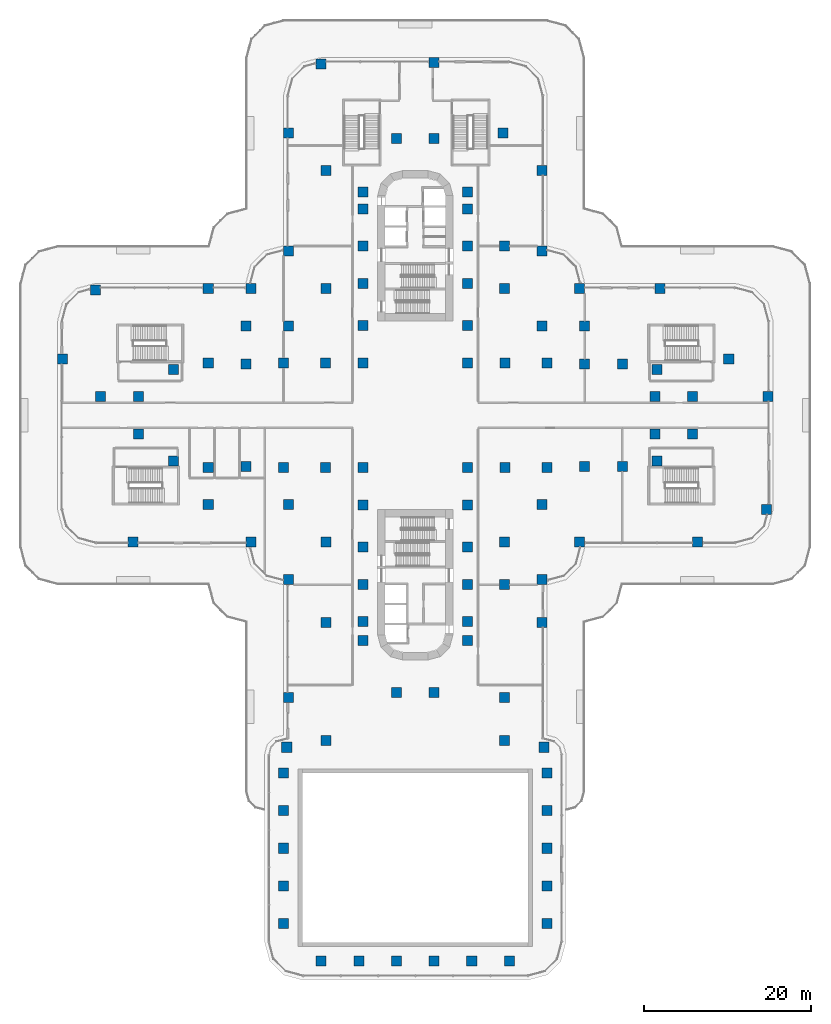
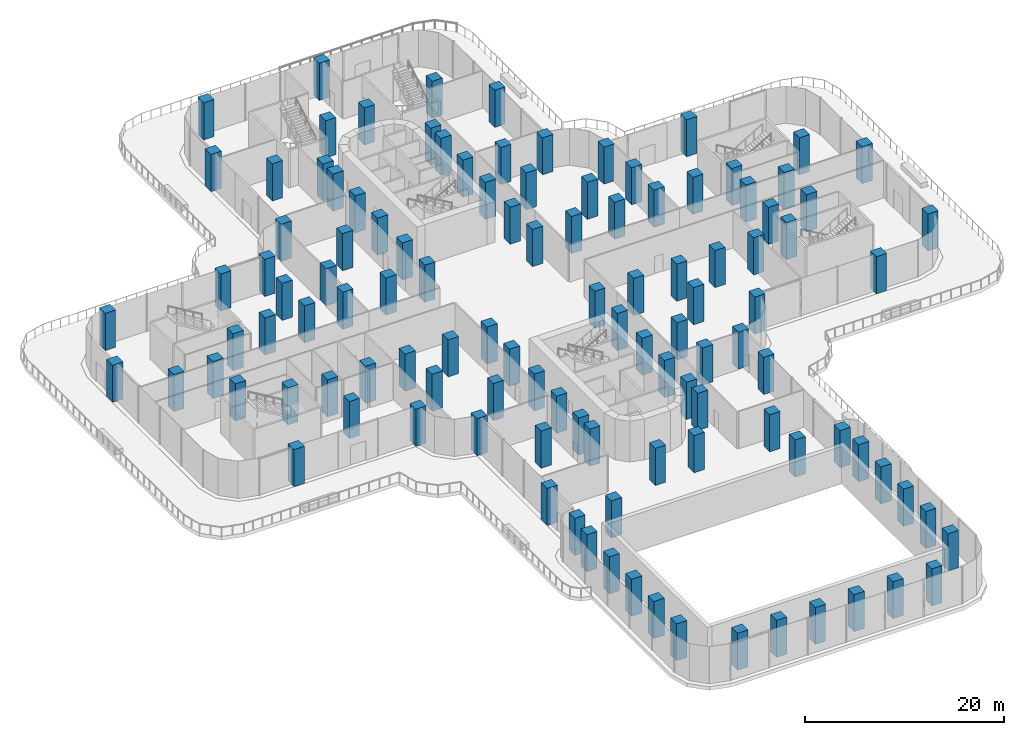
# One storey, part 1 of 27: 115 columns.
"""IFC4 building model written with IfcOpenShell, lengths in metres."""

from ifc_helpers import new_model, si_unit, direction, frame, origin, origin_2d, place, context, subcontext, project, spatial, rectangle, extrude, material, material_profile, profile_set, type_object, element, save


model = new_model("IFC4")

# Units and contexts
model_context = context("Model", 3, precision=1e-05, world=origin(), true_north=direction((0.0, 1.0)))
body_context = subcontext(model_context, "Body", "Model", "MODEL_VIEW")
ifc_project = project(units=[si_unit("LENGTHUNIT", "METRE"), si_unit("AREAUNIT", "SQUARE_METRE"), si_unit("VOLUMEUNIT", "CUBIC_METRE"), si_unit("PLANEANGLEUNIT", "RADIAN"), si_unit("MASSUNIT", "GRAM", prefix="KILO")], contexts=[model_context])

# Site, building, storey
site_placement = place(None, origin())
site = spatial("IfcSite", under=ifc_project, at=site_placement, CompositionType="ELEMENT")
building_placement = place(site_placement, origin())
building = spatial("IfcBuilding", under=site, at=building_placement, Name="Zarbagh Exchange Tower", CompositionType="ELEMENT")
storey_placement = place(building_placement, frame((0.0, 0.0, 17.0)))
storey = spatial("IfcBuildingStorey", under=building, at=storey_placement, Name="L03", CompositionType="ELEMENT", Elevation=17.0)

# Columns
ifc_material = material(Name="Concrete C60/75", Category="concrete")
ifc_material_profile = material_profile(ifc_material, rectangle(XDim=1.199951171875, YDim=1.199951171875, at=origin_2d()), Name="RC column 1200 x 1200 C60/75")
ifc_profile_set = profile_set([ifc_material_profile], Name="Concrete C60/75")
column_type = type_object("IfcColumnType", Name="RC column 1200 x 1200 C60/75", PredefinedType="COLUMN", material=ifc_profile_set)
for number, where, z_axis, x_axis, name in (
    (1, (-42.14990234375, 6.75, 0.0), (0.0, 0.0, 1.0), (1.0, 0.0, 0.0), "C1 8/U"),
    (2, (-37.64990234375, 2.25, 0.0), (0.0, 0.0, 1.0), (1.0, 0.0, 0.0), "C1 9/T"),
    (3, (-38.25, 14.969970703125, 0.0), (0.0, 0.0, 1.0), (1.0, 0.0, 0.0), "C1 9/W"),
    (4, (-33.75, -15.14990234375, 0.0), (0.0, 0.0, 1.0), (1.0, 0.0, 0.0), "C1 10/P"),
    (5, (-33.110107421875, -2.25, 0.0), (0.0, 0.0, 1.0), (1.0, 0.0, 0.0), "C1 10/S"),
    (6, (-33.110107421875, 2.25, 0.0), (0.0, 0.0, 1.0), (1.0, 0.0, 0.0), "C1 10/T"),
    (7, (-28.907958984375, -5.47509765625, 0.0), (0.0, 0.0, 1.0), (1.0, 0.0, 0.0), "C1 11/R"),
    (8, (-28.907958984375, 5.47509765625, 0.0), (0.0, 0.0, 1.0), (1.0, 0.0, 0.0), "C1 11/U"),
    (9, (-24.75, -10.64990234375, 0.0), (0.0, 0.0, 1.0), (1.0, 0.0, 0.0), "C1 12/Q"),
    (10, (-24.75, -6.25, 0.0), (0.0, 0.0, 1.0), (1.0, 0.0, 0.0), "C1 12/R"),
    (11, (-24.75, 6.25, 0.0), (0.0, 0.0, 1.0), (1.0, 0.0, 0.0), "C1 12/U"),
    (12, (-24.75, 15.14990234375, 0.0), (0.0, 0.0, 1.0), (1.0, 0.0, 0.0), "C1 12/W"),
    (13, (-19.64990234375, -15.14990234375, 0.0), (0.0, 0.0, 1.0), (1.0, 0.0, 0.0), "C1 13/P"),
    (14, (-20.25, -6.110107421875, 0.0), (0.0, 0.0, 1.0), (1.0, 0.0, 0.0), "C1 13/R"),
    (15, (-20.25, 6.110107421875, 0.0), (0.0, 0.0, 1.0), (1.0, 0.0, 0.0), "C1 13/U"),
    (16, (-20.25, 10.64990234375, 0.0), (0.0, 0.0, 1.0), (1.0, 0.0, 0.0), "C1 13/V"),
    (17, (-19.64990234375, 15.14990234375, 0.0), (0.0, 0.0, 1.0), (1.0, 0.0, 0.0), "C1 13/W"),
    (18, (-15.75, -60.75, 0.0), (0.0, 0.0, 1.0), (1.0, 0.0, 0.0), "C1 14/D"),
    (19, (-15.75, -56.25, 0.0), (0.0, 0.0, 1.0), (1.0, 0.0, 0.0), "C1 14/E"),
    (20, (-15.75, -51.75, 0.0), (0.0, 0.0, 1.0), (1.0, 0.0, 0.0), "C1 14/F"),
    (21, (-15.75, -47.25, 0.0), (0.0, 0.0, 1.0), (1.0, 0.0, 0.0), "C1 14/G"),
    (22, (-15.75, -42.75, 0.0), (0.0, 0.0, 1.0), (1.0, 0.0, 0.0), "C1 14/H"),
    (23, (-15.366943359375, -39.679931640625, 0.0), (0.0, 0.0, 1.0), (1.0, 0.0, 0.0), "C1 14/J"),
    (24, (-15.14990234375, -33.75, 0.0), (0.0, 0.0, 1.0), (1.0, 0.0, 0.0), "C1 14/K"),
    (25, (-15.14990234375, -19.64990234375, 0.0), (0.0, 0.0, 1.0), (1.0, 0.0, 0.0), "C1 14/N"),
    (26, (-15.14990234375, -10.64990234375, 0.0), (0.0, 0.0, 1.0), (1.0, 0.0, 0.0), "C1 14/Q"),
    (27, (-15.75, -6.25, 0.0), (0.0, 0.0, 1.0), (1.0, 0.0, 0.0), "C1 14/R"),
    (28, (-15.75, 6.25, 0.0), (0.0, 0.0, 1.0), (1.0, 0.0, 0.0), "C1 14/U"),
    (29, (-15.14990234375, 10.64990234375, 0.0), (0.0, 0.0, 1.0), (1.0, 0.0, 0.0), "C1 14/V"),
    (30, (-15.14990234375, 19.64990234375, 0.0), (0.0, 0.0, 1.0), (1.0, 0.0, 0.0), "C1 14/X"),
    (31, (-15.14990234375, 33.75, 0.0), (0.0, 0.0, 1.0), (1.0, 0.0, 0.0), "C1 14/AA"),
    (32, (-11.25, -65.25, 0.0), (0.0, 0.0, 1.0), (1.0, 0.0, 0.0), "C1 15/C"),
    (33, (-10.64990234375, -38.85009765625, 0.0), (0.0, 0.0, 1.0), (1.0, 0.0, 0.0), "C1 15/J"),
    (34, (-10.64990234375, -24.75, 0.0), (0.0, 0.0, 1.0), (1.0, 0.0, 0.0), "C1 15/M"),
    (35, (-10.64990234375, -15.14990234375, 0.0), (0.0, 0.0, 1.0), (1.0, 0.0, 0.0), "C1 15/P"),
    (36, (-10.75, -6.25, 0.0), (0.0, 0.0, 1.0), (1.0, 0.0, 0.0), "C1 15/R"),
    (37, (-10.75, 6.25, 0.0), (0.0, 0.0, 1.0), (1.0, 0.0, 0.0), "C1 15/U"),
    (38, (-10.64990234375, 15.14990234375, 0.0), (0.0, 0.0, 1.0), (1.0, 0.0, 0.0), "C1 15/W"),
    (39, (-10.64990234375, 29.25, 0.0), (0.0, 0.0, 1.0), (1.0, 0.0, 0.0), "C1 15/Z"),
    (40, (-11.25, 41.969970703125, 0.0), (0.0, 0.0, 1.0), (1.0, 0.0, 0.0), "C1 15/AC"),
    (41, (-6.75, -65.25, 0.0), (0.0, 0.0, 1.0), (1.0, 0.0, 0.0), "C1 16/C"),
    (42, (-6.25, -26.89990234375, 0.0), (0.0, 0.0, 1.0), (1.0, 0.0, 0.0), "C1 16/L"),
    (43, (-6.25, -24.64990234375, 0.0), (0.0, 0.0, 1.0), (1.0, 0.0, 0.0), "C1 16/M"),
    (44, (-6.25, -20.25, 0.0), (0.0, 0.0, 1.0), (1.0, 0.0, 0.0), "C1 16/N"),
    (45, (-6.25, -15.75, 0.0), (0.0, 0.0, 1.0), (1.0, 0.0, 0.0), "C1 16/P"),
    (46, (-6.25, -10.75, 0.0), (0.0, 0.0, 1.0), (1.0, 0.0, 0.0), "C1 16/Q"),
    (47, (-6.25, -6.25, 0.0), (0.0, 0.0, 1.0), (1.0, 0.0, 0.0), "C1 16/R"),
    (48, (-6.25, 6.25, 0.0), (0.0, 0.0, 1.0), (1.0, 0.0, 0.0), "C1 16/U"),
    (49, (-6.25, 10.75, 0.0), (0.0, 0.0, 1.0), (1.0, 0.0, 0.0), "C1 16/V"),
    (50, (-6.25, 15.75, 0.0), (0.0, 0.0, 1.0), (1.0, 0.0, 0.0), "C1 16/W"),
    (51, (-6.25, 20.25, 0.0), (0.0, 0.0, 1.0), (1.0, 0.0, 0.0), "C1 16/X"),
    (52, (-6.25, 24.64990234375, 0.0), (0.0, 0.0, 1.0), (1.0, 0.0, 0.0), "C1 16/Y"),
    (53, (-6.25, 26.699951171875, 0.0), (0.0, 0.0, 1.0), (1.0, 0.0, 0.0), "C1 16/Z"),
    (54, (-2.25, -65.25, 0.0), (0.0, 0.0, 1.0), (1.0, 0.0, 0.0), "C1 17/C"),
    (55, (-2.25, -33.110107421875, 0.0), (0.0, 0.0, 1.0), (1.0, 0.0, 0.0), "C1 17/K"),
    (56, (-2.25, 33.110107421875, 0.0), (0.0, 0.0, 1.0), (1.0, 0.0, 0.0), "C1 17/AA"),
    (57, (2.25, -65.25, 0.0), (0.0, 0.0, 1.0), (1.0, 0.0, 0.0), "C1 18/C"),
    (58, (2.25, -33.110107421875, 0.0), (0.0, 0.0, 1.0), (1.0, 0.0, 0.0), "C1 18/K"),
    (59, (2.25, 33.110107421875, 0.0), (0.0, 0.0, 1.0), (1.0, 0.0, 0.0), "C1 18/AA"),
    (60, (2.25, 42.14990234375, 0.0), (0.0, 0.0, 1.0), (1.0, 0.0, 0.0), "C1 18/AC"),
    (61, (6.75, -65.25, 0.0), (0.0, 0.0, 1.0), (1.0, 0.0, 0.0), "C1 19/C"),
    (62, (6.25, -26.89990234375, 0.0), (0.0, 0.0, 1.0), (1.0, 0.0, 0.0), "C1 19/L"),
    (63, (6.25, -24.64990234375, 0.0), (0.0, 0.0, 1.0), (1.0, 0.0, 0.0), "C1 19/M"),
    (64, (6.25, -20.25, 0.0), (0.0, 0.0, 1.0), (1.0, 0.0, 0.0), "C1 19/N"),
    (65, (6.25, -15.75, 0.0), (0.0, 0.0, 1.0), (1.0, 0.0, 0.0), "C1 19/P"),
    (66, (6.25, -10.75, 0.0), (0.0, 0.0, 1.0), (1.0, 0.0, 0.0), "C1 19/Q"),
    (67, (6.25, -6.25, 0.0), (0.0, 0.0, 1.0), (1.0, 0.0, 0.0), "C1 19/R"),
    (68, (6.25, 6.25, 0.0), (0.0, 0.0, 1.0), (1.0, 0.0, 0.0), "C1 19/U"),
    (69, (6.25, 10.75, 0.0), (0.0, 0.0, 1.0), (1.0, 0.0, 0.0), "C1 19/V"),
    (70, (6.25, 15.75, 0.0), (0.0, 0.0, 1.0), (1.0, 0.0, 0.0), "C1 19/W"),
    (71, (6.25, 20.25, 0.0), (0.0, 0.0, 1.0), (1.0, 0.0, 0.0), "C1 19/X"),
    (72, (6.25, 24.64990234375, 0.0), (0.0, 0.0, 1.0), (1.0, 0.0, 0.0), "C1 19/Y"),
    (73, (6.25, 26.699951171875, 0.0), (0.0, 0.0, 1.0), (1.0, 0.0, 0.0), "C1 19/Z"),
    (74, (11.25, -65.25, 0.0), (0.0, 0.0, 1.0), (1.0, 0.0, 0.0), "C1 20/C"),
    (75, (10.64990234375, -38.85009765625, 0.0), (0.0, 0.0, 1.0), (1.0, 0.0, 0.0), "C1 20/J"),
    (76, (10.64990234375, -33.75, 0.0), (0.0, 0.0, 1.0), (1.0, 0.0, 0.0), "C1 20/K"),
    (77, (10.64990234375, -20.25, 0.0), (0.0, 0.0, 1.0), (1.0, 0.0, 0.0), "C1 20/N"),
    (78, (10.64990234375, -15.14990234375, 0.0), (0.0, 0.0, 1.0), (1.0, 0.0, 0.0), "C1 20/P"),
    (79, (10.75, -6.25, 0.0), (0.0, 0.0, 1.0), (1.0, 0.0, 0.0), "C1 20/R"),
    (80, (10.75, 6.25, 0.0), (0.0, 0.0, 1.0), (1.0, 0.0, 0.0), "C1 20/U"),
    (81, (10.64990234375, 15.14990234375, 0.0), (0.0, 0.0, 1.0), (1.0, 0.0, 0.0), "C1 20/W"),
    (82, (10.64990234375, 20.25, 0.0), (0.0, 0.0, 1.0), (1.0, 0.0, 0.0), "C1 20/X"),
    (83, (10.469970703125, 33.75, 0.0), (0.0, 0.0, 1.0), (1.0, 0.0, 0.0), "C1 20/AA"),
    (84, (15.75, -60.75, 0.0), (0.0, 0.0, 1.0), (1.0, 0.0, 0.0), "C1 21/D"),
    (85, (15.75, -56.25, 0.0), (0.0, 0.0, 1.0), (1.0, 0.0, 0.0), "C1 21/E"),
    (86, (15.75, -51.75, 0.0), (0.0, 0.0, 1.0), (1.0, 0.0, 0.0), "C1 21/F"),
    (87, (15.75, -47.25, 0.0), (0.0, 0.0, 1.0), (1.0, 0.0, 0.0), "C1 21/G"),
    (88, (15.75, -42.75, 0.0), (0.0, 0.0, 1.0), (1.0, 0.0, 0.0), "C1 21/H"),
    (89, (15.366943359375, -39.679931640625, 0.0), (0.0, 0.0, 1.0), (1.0, 0.0, 0.0), "C1 21/J"),
    (90, (15.14990234375, -24.75, 0.0), (0.0, 0.0, 1.0), (1.0, 0.0, 0.0), "C1 21/M"),
    (91, (15.14990234375, -19.64990234375, 0.0), (0.0, 0.0, 1.0), (1.0, 0.0, 0.0), "C1 21/N"),
    (92, (15.14990234375, -10.64990234375, 0.0), (0.0, 0.0, 1.0), (1.0, 0.0, 0.0), "C1 21/Q"),
    (93, (15.75, -6.25, 0.0), (0.0, 0.0, 1.0), (1.0, 0.0, 0.0), "C1 21/R"),
    (94, (15.75, 6.25, 0.0), (0.0, 0.0, 1.0), (1.0, 0.0, 0.0), "C1 21/U"),
    (95, (15.14990234375, 10.64990234375, 0.0), (0.0, 0.0, 1.0), (1.0, 0.0, 0.0), "C1 21/V"),
    (96, (15.14990234375, 19.64990234375, 0.0), (0.0, 0.0, 1.0), (1.0, 0.0, 0.0), "C1 21/X"),
    (97, (15.14990234375, 29.25, 0.0), (0.0, 0.0, 1.0), (1.0, 0.0, 0.0), "C1 21/Z"),
    (98, (19.64990234375, -15.14990234375, 0.0), (0.0, 0.0, 1.0), (1.0, 0.0, 0.0), "C1 22/P"),
    (99, (20.25, -6.110107421875, 0.0), (0.0, 0.0, 1.0), (1.0, 0.0, 0.0), "C1 22/R"),
    (100, (20.25, 6.110107421875, 0.0), (0.0, 0.0, 1.0), (1.0, 0.0, 0.0), "C1 22/U"),
    (101, (20.25, 10.64990234375, 0.0), (0.0, 0.0, 1.0), (1.0, 0.0, 0.0), "C1 22/V"),
    (102, (19.64990234375, 15.14990234375, 0.0), (0.0, 0.0, 1.0), (1.0, 0.0, 0.0), "C1 22/W"),
    (103, (24.75, -6.110107421875, 0.0), (0.0, 0.0, 1.0), (1.0, 0.0, 0.0), "C1 23/R"),
    (104, (24.75, 6.110107421875, 0.0), (0.0, 0.0, 1.0), (1.0, 0.0, 0.0), "C1 23/U"),
    (105, (28.907958984375, -5.47509765625, 0.0), (0.0, 0.0, 1.0), (1.0, 0.0, 0.0), "C1 24/R"),
    (106, (28.669921875, -2.25, 0.0), (0.0, 0.0, 1.0), (1.0, 0.0, 0.0), "C1 24/S"),
    (107, (28.669921875, 2.25, 0.0), (0.0, 0.0, 1.0), (1.0, 0.0, 0.0), "C1 24/T"),
    (108, (28.907958984375, 5.47509765625, 0.0), (0.0, 0.0, 1.0), (1.0, 0.0, 0.0), "C1 24/U"),
    (109, (29.25, 15.14990234375, 0.0), (0.0, 0.0, 1.0), (1.0, 0.0, 0.0), "C1 24/W"),
    (110, (33.75, -15.14990234375, 0.0), (0.0, 0.0, 1.0), (1.0, 0.0, 0.0), "C1 25/P"),
    (111, (33.110107421875, -2.25, 0.0), (0.0, 0.0, 1.0), (1.0, 0.0, 0.0), "C1 25/S"),
    (112, (33.110107421875, 2.25, 0.0), (0.0, 0.0, 1.0), (1.0, 0.0, 0.0), "C1 25/T"),
    (113, (37.469970703125, 6.75, 0.0), (0.0, 0.0, 1.0), (1.0, 0.0, 0.0), "C1 26/U"),
    (114, (41.969970703125, -11.25, 0.0), (0.0, 0.0, 1.0), (1.0, 0.0, 0.0), "C1 27/Q"),
    (115, (42.14990234375, 2.25, 0.0), (0.0, 0.0, 1.0), (1.0, 0.0, 0.0), "C1 27/T"),
):
    element("IfcColumn", number, at=place(storey_placement, frame(where, z_axis=z_axis, x_axis=x_axis)), inside=storey, type_object=column_type, Name=name, PredefinedType="COLUMN", context=body_context, shape_type="SweptSolid", body=[
        extrude(rectangle(XDim=1.199951171875, YDim=1.199951171875, at=origin_2d()), origin(), (0.0, 0.0, 1.0), 4.550048828125),
    ])

save(model, "model.ifc")
